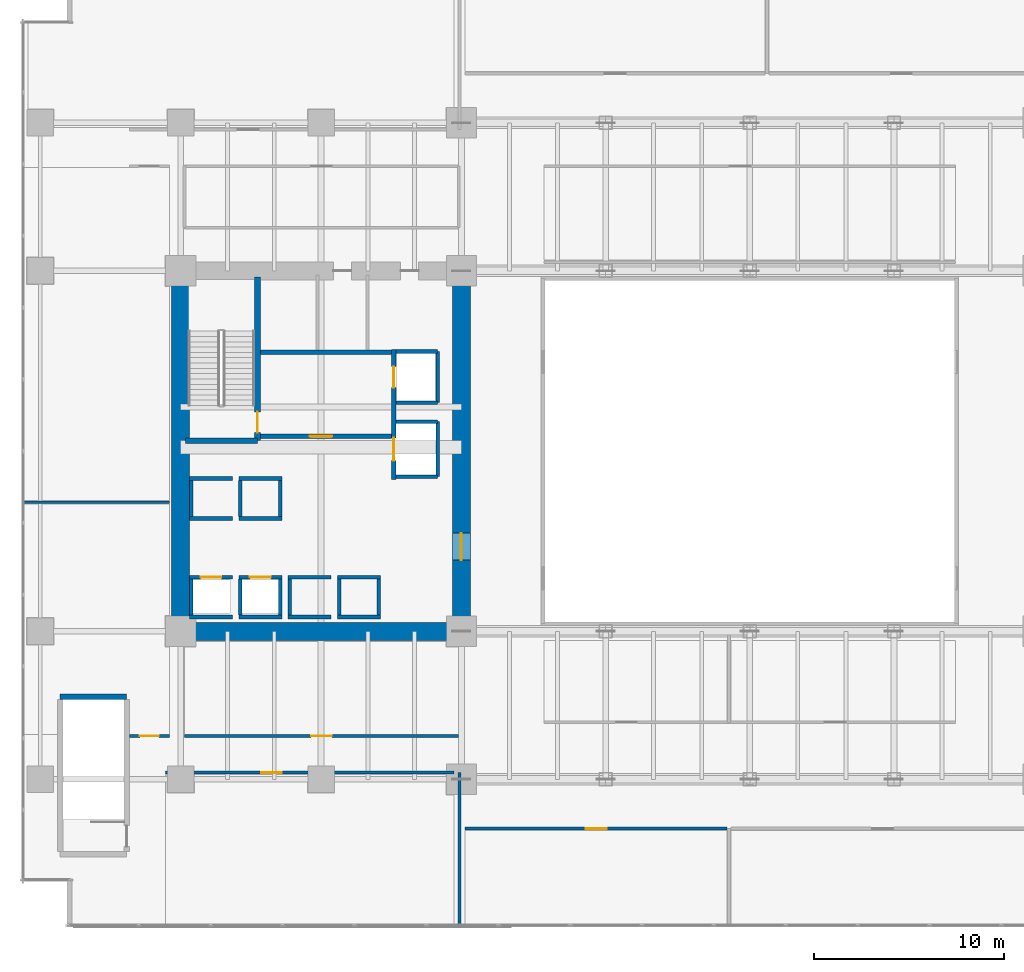
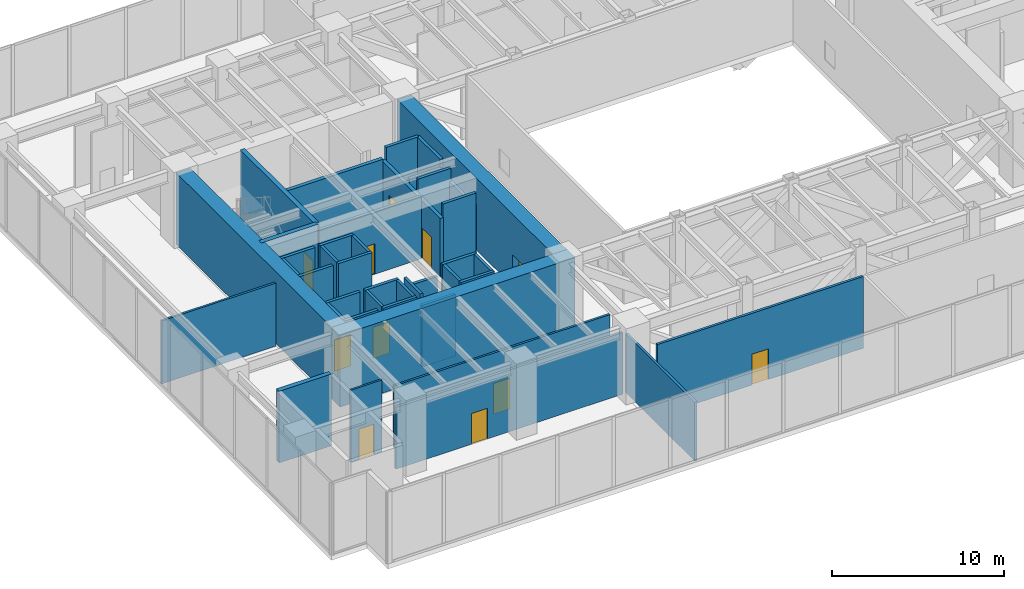
# One storey, part 28 of 35: 42 walls, 11 doors, 11 openings.
"""IFC4 building model written with IfcOpenShell, lengths in metres."""

from ifc_helpers import new_model, si_unit, direction, frame, frame_2d, origin, place, context, subcontext, project, spatial, rectangle, extrude, source, transform, mapped, material, layer, layer_set, type_object, type_shapes, element, fill, save


model = new_model("IFC4")

# Units and contexts
model_context = context("Model", 3, precision=1e-05, world=origin(), true_north=direction((0.0, 1.0)))
body_context = subcontext(model_context, "Body", "Model", "MODEL_VIEW")
ifc_project = project(units=[si_unit("LENGTHUNIT", "METRE"), si_unit("AREAUNIT", "SQUARE_METRE"), si_unit("VOLUMEUNIT", "CUBIC_METRE"), si_unit("PLANEANGLEUNIT", "RADIAN"), si_unit("MASSUNIT", "GRAM", prefix="KILO")], contexts=[model_context])

# Site, building, storey
site_placement = place(None, origin())
site = spatial("IfcSite", under=ifc_project, at=site_placement, CompositionType="ELEMENT")
building_placement = place(site_placement, origin())
building = spatial("IfcBuilding", under=site, at=building_placement, Name="Haelvirn Gate Laboratories", CompositionType="ELEMENT")
storey_placement = place(building_placement, frame((0.0, 0.0, 19.800048828125)))
storey = spatial("IfcBuildingStorey", under=building, at=storey_placement, Name="L05", CompositionType="ELEMENT", Elevation=19.800048828125)

# Wall, opening, door
ifc_material_1 = material(Name="Acoustic mineral-wool gypsum board partition", Category="gypsum")
ifc_layer_1 = layer(ifc_material_1, 0.139892578125, Name="IW-PART-140")
ifc_layer_set_1 = layer_set([ifc_layer_1], Name="Acoustic mineral-wool gypsum board partition")
wall_type_1 = type_object("IfcWallType", Name="IW-PART-140", PredefinedType="PARTITIONING", material=ifc_layer_set_1)
wall_1_placement = place(storey_placement, frame((7.60009765625, 9.280029296875, 0.0), z_axis=(0.0, 0.0, 1.0), x_axis=(1.0, 0.0, 0.0)))
wall_1 = element("IfcWall", 1, at=wall_1_placement, inside=storey, type_object=wall_type_1, Name="L05 Interior Wall IW-L05-INC-W", PredefinedType="PARTITIONING", context=body_context, shape_type="SweptSolid", body=[
    extrude(rectangle(XDim=14.449951171875, YDim=0.139892578125, at=frame_2d((7.22509765625, 0.0))), origin(), (0.0, 0.0, 1.0), 4.364990234375),
])
opening_1_placement = place(wall_1_placement, frame((6.675048828125, 0.0, 0.0)))
opening_1 = element("IfcOpeningElement", 2, at=opening_1_placement, cuts=wall_1, Name="Opening D1", PredefinedType="OPENING", context=body_context, shape_type="SweptSolid", body=[
    extrude(rectangle(XDim=1.10009765625, YDim=2.179931640625, at=frame_2d((0.550048828125, 1.08984375))), frame((0.0, 0.080078125, 0.0), z_axis=(0.0, -1.0, 0.0), x_axis=(1.0, 0.0, 0.0)), (0.0, 0.0, 1.0), 0.159912109375),
])
ifc_material_2 = material(Name="Vision-panel acoustic solid-core timber lab door", Category="wood")
door_type_1 = type_object("IfcDoorType", Name="DR-LAB-1100", OperationType="NOTDEFINED", PredefinedType="DOOR", material=ifc_material_2)
shared_shape_1 = source(origin(), body_context, "Body", "SweptSolid", [
    extrude(rectangle(XDim=1.10009765625, YDim=2.179931640625, at=frame_2d((0.550048828125, 1.08984375))), frame((0.0, 0.02490234375, 0.0), z_axis=(0.0, -1.0, 0.0), x_axis=(1.0, 0.0, 0.0)), (0.0, 0.0, 1.0), 0.050048828125),
])
type_shapes(door_type_1, [shared_shape_1])
door_1_placement = place(opening_1_placement, origin())
door_1 = element("IfcDoor", 3, at=door_1_placement, inside=storey, type_object=door_type_1, Name="L05 Cell Therapy GMP Preparation Suite Door", OperationType="SINGLE_SWING_LEFT", OverallHeight=2.179931640625, OverallWidth=1.10009765625, PredefinedType="DOOR", context=body_context, shape_type="MappedRepresentation", body=[
    mapped(shared_shape_1, transform((0.0, 0.0, 0.0), scale=1.0)),
])
fill(opening_1, door_1)

# Wall
wall_2_placement = place(storey_placement, frame((-0.85009765625, 21.60009765625, 0.0), z_axis=(0.0, 0.0, 1.0), x_axis=(1.0, 0.0, 0.0)))
element("IfcWall", 4, at=wall_2_placement, inside=storey, type_object=wall_type_1, Name="L05 Interior Wall IW-L05-WINGMID-W", PredefinedType="PARTITIONING", context=body_context, shape_type="SweptSolid", body=[
    extrude(rectangle(XDim=7.650146484375, YDim=0.139892578125, at=frame_2d((3.8251953125, 0.0))), origin(), (0.0, 0.0, 1.0), 4.46484375),
])

# Wall, opening, door
wall_3_placement = place(storey_placement, frame((4.699951171875, 9.280029296875, 0.0), z_axis=(0.0, 0.0, 1.0), x_axis=(1.0, 0.0, 0.0)))
wall_3 = element("IfcWall", 5, at=wall_3_placement, inside=storey, type_object=wall_type_1, Name="L05 Interior Wall IW-L05-WINGW-W-S", PredefinedType="PARTITIONING", context=body_context, shape_type="SweptSolid", body=[
    extrude(rectangle(XDim=2.10009765625, YDim=0.139892578125, at=frame_2d((1.050048828125, 0.0))), origin(), (0.0, 0.0, 1.0), 5.079833984375),
])
opening_2_placement = place(wall_3_placement, frame((0.550048828125, 0.0, 0.0)))
opening_2 = element("IfcOpeningElement", 6, at=opening_2_placement, cuts=wall_3, Name="Opening D2", PredefinedType="OPENING", context=body_context, shape_type="SweptSolid", body=[
    extrude(rectangle(XDim=1.0, YDim=2.14990234375, at=frame_2d((0.5, 1.074951171875))), frame((0.0, 0.080078125, 0.0), z_axis=(0.0, -1.0, 0.0), x_axis=(1.0, 0.0, 0.0)), (0.0, 0.0, 1.0), 0.159912109375),
])
ifc_material_3 = material(Name="Acoustic solid-core timber suite door", Category="wood")
door_type_2 = type_object("IfcDoorType", Name="DR-INT-1000", OperationType="NOTDEFINED", PredefinedType="DOOR", material=ifc_material_3)
shared_shape_2 = source(origin(), body_context, "Body", "SweptSolid", [
    extrude(rectangle(XDim=1.0, YDim=2.14990234375, at=frame_2d((0.5, 1.074951171875))), frame((0.0, 0.02490234375, 0.0), z_axis=(0.0, -1.0, 0.0), x_axis=(1.0, 0.0, 0.0)), (0.0, 0.0, 1.0), 0.050048828125),
])
type_shapes(door_type_2, [shared_shape_2])
door_2_placement = place(opening_2_placement, origin())
door_2 = element("IfcDoor", 7, at=door_2_placement, inside=storey, type_object=door_type_2, Name="L05 W Bio-Optics Prototyping Workshop Door", OperationType="SINGLE_SWING_LEFT", OverallHeight=2.14990234375, OverallWidth=1.0, PredefinedType="DOOR", context=body_context, shape_type="MappedRepresentation", body=[
    mapped(shared_shape_2, transform((0.0, 0.0, 0.0), scale=1.0)),
])
fill(opening_2, door_2)

ifc_material_4 = material(Name="Moisture-resistant gypsum laboratory partition", Category="gypsum")
ifc_layer_2 = layer(ifc_material_4, 0.1650390625, Name="IW-PART-160")
ifc_layer_set_2 = layer_set([ifc_layer_2], Name="Moisture-resistant gypsum laboratory partition")
wall_type_2 = type_object("IfcWallType", Name="IW-PART-160", PredefinedType="PARTITIONING", material=ifc_layer_set_2)
wall_4_placement = place(storey_placement, frame((6.60009765625, 7.35009765625, 0.0), z_axis=(0.0, 0.0, 1.0), x_axis=(1.0, 0.0, 0.0)))
wall_4 = element("IfcWall", 8, at=wall_4_placement, inside=storey, type_object=wall_type_2, Name="L05 Interior Wall IW-L05-SOW-1", PredefinedType="PARTITIONING", context=body_context, shape_type="SweptSolid", body=[
    extrude(rectangle(XDim=15.199951171875, YDim=0.1650390625, at=frame_2d((7.60009765625, 0.0))), origin(), (0.0, 0.0, 1.0), 4.364990234375),
])
opening_3_placement = place(wall_4_placement, frame((5.0400390625, 0.0, 0.0)))
opening_3 = element("IfcOpeningElement", 9, at=opening_3_placement, cuts=wall_4, Name="Opening D1", PredefinedType="OPENING", context=body_context, shape_type="SweptSolid", body=[
    extrude(rectangle(XDim=1.10009765625, YDim=2.179931640625, at=frame_2d((0.550048828125, 1.08984375))), frame((0.0, 0.092529296875, 0.0), z_axis=(0.0, -1.0, 0.0), x_axis=(1.0, 0.0, 0.0)), (0.0, 0.0, 1.0), 0.18505859375),
])
door_3_placement = place(opening_3_placement, origin())
door_3 = element("IfcDoor", 10, at=door_3_placement, inside=storey, type_object=door_type_1, Name="L05 Chemical Synthesis Laboratory Door", OperationType="SINGLE_SWING_LEFT", OverallHeight=2.179931640625, OverallWidth=1.10009765625, PredefinedType="DOOR", context=body_context, shape_type="MappedRepresentation", body=[
    mapped(shared_shape_1, transform((0.0, 0.0, 0.0), scale=1.0)),
])
fill(opening_3, door_3)

wall_5_placement = place(storey_placement, frame((22.39990234375, 4.39990234375, 0.0), z_axis=(0.0, 0.0, 1.0), x_axis=(1.0, 0.0, 0.0)))
wall_5 = element("IfcWall", 11, at=wall_5_placement, inside=storey, type_object=wall_type_2, Name="L05 Interior Wall IW-L05-SOW-2", PredefinedType="PARTITIONING", context=body_context, shape_type="SweptSolid", body=[
    extrude(rectangle(XDim=13.800048828125, YDim=0.1650390625, at=frame_2d((6.89990234375, 0.0))), origin(), (0.0, 0.0, 1.0), 5.079833984375),
])
opening_4_placement = place(wall_5_placement, frame((6.35009765625, 0.0, 0.0)))
opening_4 = element("IfcOpeningElement", 12, at=opening_4_placement, cuts=wall_5, Name="Opening D1", PredefinedType="OPENING", context=body_context, shape_type="SweptSolid", body=[
    extrude(rectangle(XDim=1.10009765625, YDim=2.179931640625, at=frame_2d((0.550048828125, 1.08984375))), frame((0.0, 0.092529296875, 0.0), z_axis=(0.0, -1.0, 0.0), x_axis=(1.0, 0.0, 0.0)), (0.0, 0.0, 1.0), 0.18505859375),
])
door_4_placement = place(opening_4_placement, origin())
door_4 = element("IfcDoor", 13, at=door_4_placement, inside=storey, type_object=door_type_1, Name="L05 Bioprocess Foundry Laboratory Door", OperationType="SINGLE_SWING_LEFT", OverallHeight=2.179931640625, OverallWidth=1.10009765625, PredefinedType="DOOR", context=body_context, shape_type="MappedRepresentation", body=[
    mapped(shared_shape_1, transform((0.0, 0.0, 0.0), scale=1.0)),
])
fill(opening_4, door_4)

# Walls
wall_6_placement = place(storey_placement, frame((22.10009765625, -0.679931640625, 0.0), z_axis=(0.0, 0.0, 1.0), x_axis=(0.0, 1.0, 0.0)))
element("IfcWall", 14, at=wall_6_placement, inside=storey, type_object=wall_type_2, Name="L05 Interior Wall IW-L05-SODIV-W", PredefinedType="PARTITIONING", context=body_context, shape_type="SweptSolid", body=[
    extrude(rectangle(XDim=8.030029296875, YDim=0.1650390625, at=frame_2d((4.01513671875, 0.0))), origin(), (0.0, 0.0, 1.0), 4.1650390625),
])
ifc_material_5 = material(Name="Concrete C40/50", Category="concrete")
ifc_layer_3 = layer(ifc_material_5, 0.179931640625, Name="IW-SHAFT-180")
ifc_layer_set_3 = layer_set([ifc_layer_3], Name="Concrete C40/50")
wall_type_3 = type_object("IfcWallType", Name="IW-SHAFT-180", PredefinedType="SOLIDWALL", material=ifc_layer_set_3)
for number, where, z_axis, x_axis, name in (
    (15, (7.949951171875, 15.64990234375, 0.0), (0.0, 0.0, 1.0), (0.0, 1.0, 0.0), "L05 Interior Wall IW-L05-PL1-SD"),
    (16, (10.550048828125, 15.64990234375, 0.0), (0.0, 0.0, 1.0), (0.0, 1.0, 0.0), "L05 Interior Wall IW-L05-PL2-SD"),
    (17, (12.64990234375, 15.64990234375, 0.0), (0.0, 0.0, 1.0), (0.0, 1.0, 0.0), "L05 Interior Wall IW-L05-PL2-SDE"),
    (18, (13.14990234375, 15.64990234375, 0.0), (0.0, 0.0, 1.0), (0.0, 1.0, 0.0), "L05 Interior Wall IW-L05-PL5-SD"),
    (19, (15.75, 15.64990234375, 0.0), (0.0, 0.0, 1.0), (0.0, 1.0, 0.0), "L05 Interior Wall IW-L05-PL6-SD"),
    (20, (17.85009765625, 15.64990234375, 0.0), (0.0, 0.0, 1.0), (0.0, 1.0, 0.0), "L05 Interior Wall IW-L05-PL6-SDE"),
):
    element("IfcWall", number, at=place(storey_placement, frame(where, z_axis=z_axis, x_axis=x_axis)), inside=storey, type_object=wall_type_3, Name=name, PredefinedType="SOLIDWALL", context=body_context, shape_type="SweptSolid", body=[
        extrude(rectangle(XDim=1.900146484375, YDim=0.179931640625, at=frame_2d((0.9501953125, 0.0))), origin(), (0.0, 0.0, 1.0), 5.079833984375),
    ])
for number, where, z_axis, x_axis, name in (
    (21, (7.949951171875, 20.85009765625, 0.0), (0.0, 0.0, 1.0), (0.0, 1.0, 0.0), "L05 Interior Wall IW-L05-PL9-SD"),
    (22, (10.550048828125, 20.85009765625, 0.0), (0.0, 0.0, 1.0), (0.0, 1.0, 0.0), "L05 Interior Wall IW-L05-PL10-SD"),
    (23, (12.64990234375, 20.85009765625, 0.0), (0.0, 0.0, 1.0), (0.0, 1.0, 0.0), "L05 Interior Wall IW-L05-PL10-SDE"),
):
    element("IfcWall", number, at=place(storey_placement, frame(where, z_axis=z_axis, x_axis=x_axis)), inside=storey, type_object=wall_type_3, Name=name, PredefinedType="SOLIDWALL", context=body_context, shape_type="SweptSolid", body=[
        extrude(rectangle(XDim=1.89990234375, YDim=0.179931640625, at=frame_2d((0.949951171875, 0.0))), origin(), (0.0, 0.0, 1.0), 5.079833984375),
    ])

# Wall, opening, door
ifc_layer_4 = layer(ifc_material_5, 0.199951171875, Name="IW-SHAFT-200")
ifc_layer_set_4 = layer_set([ifc_layer_4], Name="Concrete C40/50")
wall_type_4 = type_object("IfcWallType", Name="IW-SHAFT-200", PredefinedType="SOLIDWALL", material=ifc_layer_set_4)
wall_7_placement = place(storey_placement, frame((7.8701171875, 17.64990234375, 0.0), z_axis=(0.0, 0.0, 1.0), x_axis=(1.0, 0.0, 0.0)))
wall_7 = element("IfcWall", 24, at=wall_7_placement, inside=storey, type_object=wall_type_4, Name="L05 Interior Wall IW-L05-PL1-FR", PredefinedType="SOLIDWALL", context=body_context, shape_type="SweptSolid", body=[
    extrude(rectangle(XDim=2.259765625, YDim=0.199951171875, at=frame_2d((1.1298828125, 0.0))), origin(), (0.0, 0.0, 1.0), 5.079833984375),
])
opening_5_placement = place(wall_7_placement, frame((0.580078125, 0.0, 0.0)))
opening_5 = element("IfcOpeningElement", 25, at=opening_5_placement, cuts=wall_7, Name="Opening LD2", PredefinedType="OPENING", context=body_context, shape_type="SweptSolid", body=[
    extrude(rectangle(XDim=1.10009765625, YDim=2.219970703125, at=frame_2d((0.550048828125, 1.10986328125))), frame((0.0, 0.10986328125, 0.0), z_axis=(0.0, -1.0, 0.0), x_axis=(1.0, 0.0, 0.0)), (0.0, 0.0, 1.0), 0.219970703125),
])
ifc_material_6 = material(Name="Bronze stainless 316L sliding lift landing door")
door_type_3 = type_object("IfcDoorType", Name="DR-LD-1100", OperationType="NOTDEFINED", PredefinedType="USERDEFINED", material=ifc_material_6)
shared_shape_3 = source(origin(), body_context, "Body", "SweptSolid", [
    extrude(rectangle(XDim=1.10009765625, YDim=2.219970703125, at=frame_2d((0.550048828125, 1.10986328125))), frame((0.0, 0.02490234375, 0.0), z_axis=(0.0, -1.0, 0.0), x_axis=(1.0, 0.0, 0.0)), (0.0, 0.0, 1.0), 0.050048828125),
])
type_shapes(door_type_3, [shared_shape_3])
door_5_placement = place(opening_5_placement, origin())
door_5 = element("IfcDoor", 26, at=door_5_placement, inside=storey, type_object=door_type_3, Name="L05 Passenger Lift PL1 Landing Door", ObjectType="LANDING_DOOR", OperationType="SLIDING_TO_LEFT", OverallHeight=2.219970703125, OverallWidth=1.10009765625, PredefinedType="USERDEFINED", context=body_context, shape_type="MappedRepresentation", body=[
    mapped(shared_shape_3, transform((0.0, 0.0, 0.0), scale=1.0)),
])
fill(opening_5, door_5)

# Wall
wall_8_placement = place(storey_placement, frame((7.8701171875, 15.550048828125, 0.0), z_axis=(0.0, 0.0, 1.0), x_axis=(1.0, 0.0, 0.0)))
element("IfcWall", 27, at=wall_8_placement, inside=storey, type_object=wall_type_4, Name="L05 Interior Wall IW-L05-PL1-BK", PredefinedType="SOLIDWALL", context=body_context, shape_type="SweptSolid", body=[
    extrude(rectangle(XDim=2.259765625, YDim=0.199951171875, at=frame_2d((1.1298828125, 0.0))), origin(), (0.0, 0.0, 1.0), 5.079833984375),
])

# Wall, opening, door
wall_9_placement = place(storey_placement, frame((10.469970703125, 17.64990234375, 0.0), z_axis=(0.0, 0.0, 1.0), x_axis=(1.0, 0.0, 0.0)))
wall_9 = element("IfcWall", 28, at=wall_9_placement, inside=storey, type_object=wall_type_4, Name="L05 Interior Wall IW-L05-PL2-FR", PredefinedType="SOLIDWALL", context=body_context, shape_type="SweptSolid", body=[
    extrude(rectangle(XDim=2.260009765625, YDim=0.199951171875, at=frame_2d((1.1298828125, 0.0))), origin(), (0.0, 0.0, 1.0), 5.079833984375),
])
opening_6_placement = place(wall_9_placement, frame((0.580078125, 0.0, 0.0)))
opening_6 = element("IfcOpeningElement", 29, at=opening_6_placement, cuts=wall_9, Name="Opening LD2", PredefinedType="OPENING", context=body_context, shape_type="SweptSolid", body=[
    extrude(rectangle(XDim=1.10009765625, YDim=2.219970703125, at=frame_2d((0.550048828125, 1.10986328125))), frame((0.0, 0.10986328125, 0.0), z_axis=(0.0, -1.0, 0.0), x_axis=(1.0, 0.0, 0.0)), (0.0, 0.0, 1.0), 0.219970703125),
])
door_6_placement = place(opening_6_placement, origin())
door_6 = element("IfcDoor", 30, at=door_6_placement, inside=storey, type_object=door_type_3, Name="L05 Passenger Lift PL2 Landing Door", ObjectType="LANDING_DOOR", OperationType="SLIDING_TO_RIGHT", OverallHeight=2.219970703125, OverallWidth=1.10009765625, PredefinedType="USERDEFINED", context=body_context, shape_type="MappedRepresentation", body=[
    mapped(shared_shape_3, transform((0.0, 0.0, 0.0), scale=1.0)),
])
fill(opening_6, door_6)

# Walls
wall_10_placement = place(storey_placement, frame((10.469970703125, 15.550048828125, 0.0), z_axis=(0.0, 0.0, 1.0), x_axis=(1.0, 0.0, 0.0)))
element("IfcWall", 31, at=wall_10_placement, inside=storey, type_object=wall_type_4, Name="L05 Interior Wall IW-L05-PL2-BK", PredefinedType="SOLIDWALL", context=body_context, shape_type="SweptSolid", body=[
    extrude(rectangle(XDim=2.260009765625, YDim=0.199951171875, at=frame_2d((1.1298828125, 0.0))), origin(), (0.0, 0.0, 1.0), 5.079833984375),
])
for number, where, z_axis, x_axis, name in (
    (32, (13.070068359375, 17.64990234375, 0.0), (0.0, 0.0, 1.0), (1.0, 0.0, 0.0), "L05 Interior Wall IW-L05-PL5-FR"),
    (33, (13.070068359375, 15.550048828125, 0.0), (0.0, 0.0, 1.0), (1.0, 0.0, 0.0), "L05 Interior Wall IW-L05-PL5-BK"),
):
    element("IfcWall", number, at=place(storey_placement, frame(where, z_axis=z_axis, x_axis=x_axis)), inside=storey, type_object=wall_type_4, Name=name, PredefinedType="SOLIDWALL", context=body_context, shape_type="SweptSolid", body=[
        extrude(rectangle(XDim=2.260009765625, YDim=0.199951171875, at=frame_2d((1.1298828125, 0.0))), origin(), (0.0, 0.0, 1.0), 4.364990234375),
    ])
for number, where, z_axis, x_axis, name in (
    (34, (15.669921875, 17.64990234375, 0.0), (0.0, 0.0, 1.0), (1.0, 0.0, 0.0), "L05 Interior Wall IW-L05-PL6-FR"),
    (35, (15.669921875, 15.550048828125, 0.0), (0.0, 0.0, 1.0), (1.0, 0.0, 0.0), "L05 Interior Wall IW-L05-PL6-BK"),
):
    element("IfcWall", number, at=place(storey_placement, frame(where, z_axis=z_axis, x_axis=x_axis)), inside=storey, type_object=wall_type_4, Name=name, PredefinedType="SOLIDWALL", context=body_context, shape_type="SweptSolid", body=[
        extrude(rectangle(XDim=2.260009765625, YDim=0.199951171875, at=frame_2d((1.1298828125, 0.0))), origin(), (0.0, 0.0, 1.0), 5.079833984375),
    ])
for number, where, z_axis, x_axis, name in (
    (36, (7.8701171875, 20.75, 0.0), (0.0, 0.0, 1.0), (1.0, 0.0, 0.0), "L05 Interior Wall IW-L05-PL9-FR"),
    (37, (7.8701171875, 22.85009765625, 0.0), (0.0, 0.0, 1.0), (1.0, 0.0, 0.0), "L05 Interior Wall IW-L05-PL9-BK"),
):
    element("IfcWall", number, at=place(storey_placement, frame(where, z_axis=z_axis, x_axis=x_axis)), inside=storey, type_object=wall_type_4, Name=name, PredefinedType="SOLIDWALL", context=body_context, shape_type="SweptSolid", body=[
        extrude(rectangle(XDim=2.259765625, YDim=0.199951171875, at=frame_2d((1.1298828125, 0.0))), origin(), (0.0, 0.0, 1.0), 5.079833984375),
    ])
for number, where, z_axis, x_axis, name in (
    (38, (10.469970703125, 20.75, 0.0), (0.0, 0.0, 1.0), (1.0, 0.0, 0.0), "L05 Interior Wall IW-L05-PL10-FR"),
    (39, (10.469970703125, 22.85009765625, 0.0), (0.0, 0.0, 1.0), (1.0, 0.0, 0.0), "L05 Interior Wall IW-L05-PL10-BK"),
):
    element("IfcWall", number, at=place(storey_placement, frame(where, z_axis=z_axis, x_axis=x_axis)), inside=storey, type_object=wall_type_4, Name=name, PredefinedType="SOLIDWALL", context=body_context, shape_type="SweptSolid", body=[
        extrude(rectangle(XDim=2.260009765625, YDim=0.199951171875, at=frame_2d((1.1298828125, 0.0))), origin(), (0.0, 0.0, 1.0), 5.079833984375),
    ])
wall_11_placement = place(storey_placement, frame((20.949951171875, 26.85009765625, 0.0), z_axis=(0.0, 0.0, 1.0), x_axis=(0.0, 1.0, 0.0)))
element("IfcWall", 40, at=wall_11_placement, inside=storey, type_object=wall_type_4, Name="L05 Interior Wall IW-L05-FL1-BK", PredefinedType="SOLIDWALL", context=body_context, shape_type="SweptSolid", body=[
    extrude(rectangle(XDim=2.699951171875, YDim=0.199951171875, at=frame_2d((1.35009765625, 0.0))), origin(), (0.0, 0.0, 1.0), 5.079833984375),
])
wall_12_placement = place(storey_placement, frame((18.760009765625, 29.550048828125, 0.0), z_axis=(0.0, 0.0, 1.0), x_axis=(1.0, 0.0, 0.0)))
element("IfcWall", 41, at=wall_12_placement, inside=storey, type_object=wall_type_4, Name="L05 Interior Wall IW-L05-FL1-N", PredefinedType="SOLIDWALL", context=body_context, shape_type="SweptSolid", body=[
    extrude(rectangle(XDim=2.18994140625, YDim=0.199951171875, at=frame_2d((1.094970703125, 0.0))), origin(), (0.0, 0.0, 1.0), 5.079833984375),
])
wall_13_placement = place(storey_placement, frame((18.760009765625, 26.85009765625, 0.0), z_axis=(0.0, 0.0, 1.0), x_axis=(1.0, 0.0, 0.0)))
element("IfcWall", 42, at=wall_13_placement, inside=storey, type_object=wall_type_4, Name="L05 Interior Wall IW-L05-FL1-S", PredefinedType="SOLIDWALL", context=body_context, shape_type="SweptSolid", body=[
    extrude(rectangle(XDim=2.18994140625, YDim=0.199951171875, at=frame_2d((1.094970703125, 0.0))), origin(), (0.0, 0.0, 1.0), 4.47705078125),
])
wall_14_placement = place(storey_placement, frame((20.949951171875, 22.949951171875, 0.0), z_axis=(0.0, 0.0, 1.0), x_axis=(0.0, 1.0, 0.0)))
element("IfcWall", 43, at=wall_14_placement, inside=storey, type_object=wall_type_4, Name="L05 Interior Wall IW-L05-SL1-BK", PredefinedType="SOLIDWALL", context=body_context, shape_type="SweptSolid", body=[
    extrude(rectangle(XDim=2.900146484375, YDim=0.199951171875, at=frame_2d((1.4501953125, 0.0))), origin(), (0.0, 0.0, 1.0), 4.1650390625),
])
for number, where, z_axis, x_axis, name in (
    (44, (18.760009765625, 25.85009765625, 0.0), (0.0, 0.0, 1.0), (1.0, 0.0, 0.0), "L05 Interior Wall IW-L05-SL1-N"),
    (45, (18.760009765625, 22.949951171875, 0.0), (0.0, 0.0, 1.0), (1.0, 0.0, 0.0), "L05 Interior Wall IW-L05-SL1-S"),
):
    element("IfcWall", number, at=place(storey_placement, frame(where, z_axis=z_axis, x_axis=x_axis)), inside=storey, type_object=wall_type_4, Name=name, PredefinedType="SOLIDWALL", context=body_context, shape_type="SweptSolid", body=[
        extrude(rectangle(XDim=2.18994140625, YDim=0.199951171875, at=frame_2d((1.094970703125, 0.0))), origin(), (0.0, 0.0, 1.0), 5.079833984375),
    ])

# Wall, opening, door
ifc_layer_5 = layer(ifc_material_5, 0.239990234375, Name="IW-SHAFT-240")
ifc_layer_set_5 = layer_set([ifc_layer_5], Name="Concrete C40/50")
wall_type_5 = type_object("IfcWallType", Name="IW-SHAFT-240", PredefinedType="SOLIDWALL", material=ifc_layer_set_5)
wall_15_placement = place(storey_placement, frame((11.60009765625, 25.080078125, 0.0), z_axis=(0.0, 0.0, 1.0), x_axis=(1.0, 0.0, 0.0)))
wall_15 = element("IfcWall", 46, at=wall_15_placement, inside=storey, type_object=wall_type_5, Name="L05 Interior Wall IW-L05-W-FF-S", PredefinedType="SOLIDWALL", context=body_context, shape_type="SweptSolid", body=[
    extrude(rectangle(XDim=6.919921875, YDim=0.239990234375, at=frame_2d((3.4599609375, 0.0))), origin(), (0.0, 0.0, 1.0), 4.364990234375),
])
opening_7_placement = place(wall_15_placement, frame((2.60009765625, 0.0, 0.0)))
opening_7 = element("IfcOpeningElement", 47, at=opening_7_placement, cuts=wall_15, Name="Opening FD2", PredefinedType="OPENING", context=body_context, shape_type="SweptSolid", body=[
    extrude(rectangle(XDim=1.199951171875, YDim=2.159912109375, at=frame_2d((0.60009765625, 1.080078125))), frame((0.0, 0.1298828125, 0.0), z_axis=(0.0, -1.0, 0.0), x_axis=(1.0, 0.0, 0.0)), (0.0, 0.0, 1.0), 0.260009765625),
])
ifc_material_7 = material(Name="Fire-rated steel SM355 compartment door", Category="steel")
door_type_4 = type_object("IfcDoorType", Name="DR-FD-1200", OperationType="NOTDEFINED", PredefinedType="DOOR", material=ifc_material_7)
shared_shape_4 = source(origin(), body_context, "Body", "SweptSolid", [
    extrude(rectangle(XDim=1.199951171875, YDim=2.159912109375, at=frame_2d((0.60009765625, 1.080078125))), frame((0.0, 0.02490234375, 0.0), z_axis=(0.0, -1.0, 0.0), x_axis=(1.0, 0.0, 0.0)), (0.0, 0.0, 1.0), 0.050048828125),
])
type_shapes(door_type_4, [shared_shape_4])
door_7_placement = place(opening_7_placement, origin())
door_7 = element("IfcDoor", 48, at=door_7_placement, inside=storey, type_object=door_type_4, Name="L05 West Firefighting Lobby Door", OperationType="SINGLE_SWING_RIGHT", OverallHeight=2.159912109375, OverallWidth=1.199951171875, PredefinedType="DOOR", context=body_context, shape_type="MappedRepresentation", body=[
    mapped(shared_shape_4, transform((0.0, 0.0, 0.0), scale=1.0)),
])
fill(opening_7, door_7)

# Wall
wall_16_placement = place(storey_placement, frame((11.60009765625, 29.52001953125, 0.0), z_axis=(0.0, 0.0, 1.0), x_axis=(1.0, 0.0, 0.0)))
element("IfcWall", 49, at=wall_16_placement, inside=storey, type_object=wall_type_5, Name="L05 Interior Wall IW-L05-W-FF-N", PredefinedType="SOLIDWALL", context=body_context, shape_type="SweptSolid", body=[
    extrude(rectangle(XDim=6.919921875, YDim=0.239990234375, at=frame_2d((3.4599609375, 0.0))), origin(), (0.0, 0.0, 1.0), 4.364990234375),
])

# Wall, openings, doors
wall_17_placement = place(storey_placement, frame((18.639892578125, 22.800048828125, 0.0), z_axis=(0.0, 0.0, 1.0), x_axis=(0.0, 1.0, 0.0)))
wall_17 = element("IfcWall", 50, at=wall_17_placement, inside=storey, type_object=wall_type_5, Name="L05 Interior Wall IW-L05-W-FF-E", PredefinedType="SOLIDWALL", context=body_context, shape_type="SweptSolid", body=[
    extrude(rectangle(XDim=6.849853515625, YDim=0.239990234375, at=frame_2d((3.4248046875, 0.0))), origin(), (0.0, 0.0, 1.0), 4.1650390625),
])
opening_8_placement = place(wall_17_placement, frame((4.85009765625, 0.0, 0.0)))
opening_8 = element("IfcOpeningElement", 51, at=opening_8_placement, cuts=wall_17, Name="Opening LD2", PredefinedType="OPENING", context=body_context, shape_type="SweptSolid", body=[
    extrude(rectangle(XDim=1.10009765625, YDim=2.219970703125, at=frame_2d((0.550048828125, 1.10986328125))), frame((0.0, 0.1298828125, 0.0), z_axis=(0.0, -1.0, 0.0), x_axis=(1.0, 0.0, 0.0)), (0.0, 0.0, 1.0), 0.260009765625),
])
opening_9_placement = place(wall_17_placement, frame((1.0, 0.0, 0.0)))
opening_9 = element("IfcOpeningElement", 52, at=opening_9_placement, cuts=wall_17, Name="Opening LD1", PredefinedType="OPENING", context=body_context, shape_type="SweptSolid", body=[
    extrude(rectangle(XDim=1.199951171875, YDim=2.219970703125, at=frame_2d((0.60009765625, 1.10986328125))), frame((0.0, 0.1298828125, 0.0), z_axis=(0.0, -1.0, 0.0), x_axis=(1.0, 0.0, 0.0)), (0.0, 0.0, 1.0), 0.260009765625),
])
door_8_placement = place(opening_8_placement, origin())
door_8 = element("IfcDoor", 53, at=door_8_placement, inside=storey, type_object=door_type_3, Name="L05 Firefighting Lift FL1 Landing Door", ObjectType="LANDING_DOOR", OperationType="SLIDING_TO_LEFT", OverallHeight=2.219970703125, OverallWidth=1.10009765625, PredefinedType="USERDEFINED", context=body_context, shape_type="MappedRepresentation", body=[
    mapped(shared_shape_3, transform((0.0, 0.0, 0.0), scale=1.0)),
])
fill(opening_8, door_8)
ifc_material_8 = material(Name="Stainless steel 316L sliding goods landing door", Category="steel")
door_type_5 = type_object("IfcDoorType", Name="DR-LD-1200", OperationType="NOTDEFINED", PredefinedType="USERDEFINED", material=ifc_material_8)
shared_shape_5 = source(origin(), body_context, "Body", "SweptSolid", [
    extrude(rectangle(XDim=1.199951171875, YDim=2.219970703125, at=frame_2d((0.60009765625, 1.10986328125))), frame((0.0, 0.02490234375, 0.0), z_axis=(0.0, -1.0, 0.0), x_axis=(1.0, 0.0, 0.0)), (0.0, 0.0, 1.0), 0.050048828125),
])
type_shapes(door_type_5, [shared_shape_5])
door_9_placement = place(opening_9_placement, origin())
door_9 = element("IfcDoor", 54, at=door_9_placement, inside=storey, type_object=door_type_5, Name="L05 Service Lift SL1 Landing Door", ObjectType="LANDING_DOOR", OperationType="SLIDING_TO_RIGHT", OverallHeight=2.219970703125, OverallWidth=1.199951171875, PredefinedType="USERDEFINED", context=body_context, shape_type="MappedRepresentation", body=[
    mapped(shared_shape_5, transform((0.0, 0.0, 0.0), scale=1.0)),
])
fill(opening_9, door_9)

# Walls
ifc_material_9 = material(Name="Concrete C70/85", Category="concrete")
ifc_layer_6 = layer(ifc_material_9, 0.949951171875, Name="SW-CORE-950")
ifc_layer_set_6 = layer_set([ifc_layer_6], Name="Concrete C70/85")
wall_type_6 = type_object("IfcWallType", Name="SW-CORE-950", PredefinedType="SHEAR", material=ifc_layer_set_6)
wall_18_placement = place(storey_placement, frame((6.925048828125, 14.800048828125, 0.0), z_axis=(0.0, 0.0, 1.0), x_axis=(1.0, 0.0, 0.0)))
element("IfcWall", 55, at=wall_18_placement, inside=storey, type_object=wall_type_6, Name="L05 W Core Shear Wall S", PredefinedType="SHEAR", context=body_context, shape_type="SweptSolid", body=[
    extrude(rectangle(XDim=15.75, YDim=0.949951171875, at=frame_2d((7.875, 0.0))), origin(), (0.0, 0.0, 1.0), 5.079833984375),
])
wall_19_placement = place(storey_placement, frame((7.39990234375, 15.27490234375, 0.0), z_axis=(0.0, 0.0, 1.0), x_axis=(0.0, 1.0, 0.0)))
element("IfcWall", 56, at=wall_19_placement, inside=storey, type_object=wall_type_6, Name="L05 W Core Shear Wall W", PredefinedType="SHEAR", context=body_context, shape_type="SweptSolid", body=[
    extrude(rectangle(XDim=18.050048828125, YDim=0.949951171875, at=frame_2d((9.02490234375, 0.0))), origin(), (0.0, 0.0, 1.0), 5.079833984375),
])

# Wall, opening, door
wall_20_placement = place(storey_placement, frame((22.199951171875, 15.27490234375, 0.0), z_axis=(0.0, 0.0, 1.0), x_axis=(0.0, 1.0, 0.0)))
wall_20 = element("IfcWall", 57, at=wall_20_placement, inside=storey, type_object=wall_type_6, Name="L05 W Core Shear Wall E", PredefinedType="SHEAR", context=body_context, shape_type="SweptSolid", body=[
    extrude(rectangle(XDim=18.050048828125, YDim=0.949951171875, at=frame_2d((9.02490234375, 0.0))), origin(), (0.0, 0.0, 1.0), 5.079833984375),
])
opening_10_placement = place(wall_20_placement, frame((3.27490234375, 0.0, 0.0)))
opening_10 = element("IfcOpeningElement", 58, at=opening_10_placement, cuts=wall_20, Name="Opening FD1", PredefinedType="OPENING", context=body_context, shape_type="SweptSolid", body=[
    extrude(rectangle(XDim=1.419921875, YDim=2.199951171875, at=frame_2d((0.7099609375, 1.10009765625))), frame((0.0, 0.48486328125, 0.0), z_axis=(0.0, -1.0, 0.0), x_axis=(1.0, 0.0, 0.0)), (0.0, 0.0, 1.0), 0.969970703125),
])
ifc_material_10 = material(Name="Fire-rated double steel SM355 lobby door", Category="steel")
door_type_6 = type_object("IfcDoorType", Name="DR-FD-1400", OperationType="NOTDEFINED", PredefinedType="DOOR", material=ifc_material_10)
shared_shape_6 = source(origin(), body_context, "Body", "SweptSolid", [
    extrude(rectangle(XDim=1.419921875, YDim=2.199951171875, at=frame_2d((0.7099609375, 1.10009765625))), frame((0.0, 0.02490234375, 0.0), z_axis=(0.0, -1.0, 0.0), x_axis=(1.0, 0.0, 0.0)), (0.0, 0.0, 1.0), 0.050048828125),
])
type_shapes(door_type_6, [shared_shape_6])
door_10_placement = place(opening_10_placement, origin())
door_10 = element("IfcDoor", 59, at=door_10_placement, inside=storey, type_object=door_type_6, Name="L05 West Core Lift Lobby Fire Door", OperationType="DOUBLE_DOOR_SINGLE_SWING", OverallHeight=2.199951171875, OverallWidth=1.419921875, PredefinedType="DOOR", context=body_context, shape_type="MappedRepresentation", body=[
    mapped(shared_shape_6, transform((0.0, 0.0, 0.0), scale=1.0)),
])
fill(opening_10, door_10)

ifc_material_11 = material(Name="Concrete C50/60", Category="concrete")
ifc_layer_7 = layer(ifc_material_11, 0.300048828125, Name="SW-STAIR-300")
ifc_layer_set_7 = layer_set([ifc_layer_7], Name="Concrete C50/60")
wall_type_7 = type_object("IfcWallType", Name="SW-STAIR-300", PredefinedType="SHEAR", material=ifc_layer_set_7)
wall_21_placement = place(storey_placement, frame((11.449951171875, 24.85009765625, 0.0), z_axis=(0.0, 0.0, 1.0), x_axis=(0.0, 1.0, 0.0)))
wall_21 = element("IfcWall", 60, at=wall_21_placement, inside=storey, type_object=wall_type_7, Name="L05 W Core Stair Shaft Structural Wall IN", PredefinedType="SHEAR", context=body_context, shape_type="SweptSolid", body=[
    extrude(rectangle(XDim=8.6298828125, YDim=0.300048828125, at=frame_2d((4.31494140625, 0.0))), origin(), (0.0, 0.0, 1.0), 5.079833984375),
])
opening_11_placement = place(wall_21_placement, frame((0.419921875, 0.0, 0.0)))
opening_11 = element("IfcOpeningElement", 61, at=opening_11_placement, cuts=wall_21, Name="Opening FD3", PredefinedType="OPENING", context=body_context, shape_type="SweptSolid", body=[
    extrude(rectangle(XDim=1.10009765625, YDim=2.14990234375, at=frame_2d((0.550048828125, 1.074951171875))), frame((0.0, 0.16015625, 0.0), z_axis=(0.0, -1.0, 0.0), x_axis=(1.0, 0.0, 0.0)), (0.0, 0.0, 1.0), 0.320068359375),
])
ifc_material_12 = material(Name="Fire-rated steel SM355 escape stair door", Category="steel")
door_type_7 = type_object("IfcDoorType", Name="DR-FD-1100", OperationType="NOTDEFINED", PredefinedType="DOOR", material=ifc_material_12)
shared_shape_7 = source(origin(), body_context, "Body", "SweptSolid", [
    extrude(rectangle(XDim=1.10009765625, YDim=2.14990234375, at=frame_2d((0.550048828125, 1.074951171875))), frame((0.0, 0.02490234375, 0.0), z_axis=(0.0, -1.0, 0.0), x_axis=(1.0, 0.0, 0.0)), (0.0, 0.0, 1.0), 0.050048828125),
])
type_shapes(door_type_7, [shared_shape_7])
door_11_placement = place(opening_11_placement, origin())
door_11 = element("IfcDoor", 62, at=door_11_placement, inside=storey, type_object=door_type_7, Name="L05 Escape Stair ST1 Fire Door", OperationType="SINGLE_SWING_LEFT", OverallHeight=2.14990234375, OverallWidth=1.10009765625, PredefinedType="DOOR", context=body_context, shape_type="MappedRepresentation", body=[
    mapped(shared_shape_7, transform((0.0, 0.0, 0.0), scale=1.0)),
])
fill(opening_11, door_11)

# Walls
wall_22_placement = place(storey_placement, frame((7.64990234375, 24.85009765625, 0.0), z_axis=(0.0, 0.0, 1.0), x_axis=(1.0, 0.0, 0.0)))
element("IfcWall", 63, at=wall_22_placement, inside=storey, type_object=wall_type_7, Name="L05 W Core Stair Shaft Structural Wall S", PredefinedType="SHEAR", context=body_context, shape_type="SweptSolid", body=[
    extrude(rectangle(XDim=3.800048828125, YDim=0.300048828125, at=frame_2d((1.89990234375, 0.0))), origin(), (0.0, 0.0, 1.0), 5.079833984375),
])
wall_23_placement = place(storey_placement, frame((1.050048828125, 11.35009765625, 0.0), z_axis=(0.0, 0.0, 1.0), x_axis=(1.0, 0.0, 0.0)))
element("IfcWall", 64, at=wall_23_placement, inside=storey, type_object=wall_type_7, Name="L05 Podium Stair ST3 Structural Wall N", PredefinedType="SHEAR", context=body_context, shape_type="SweptSolid", body=[
    extrude(rectangle(XDim=3.5, YDim=0.300048828125, at=frame_2d((1.75, 0.0))), origin(), (0.0, 0.0, 1.0), 5.079833984375),
])

save(model, "model.ifc")
